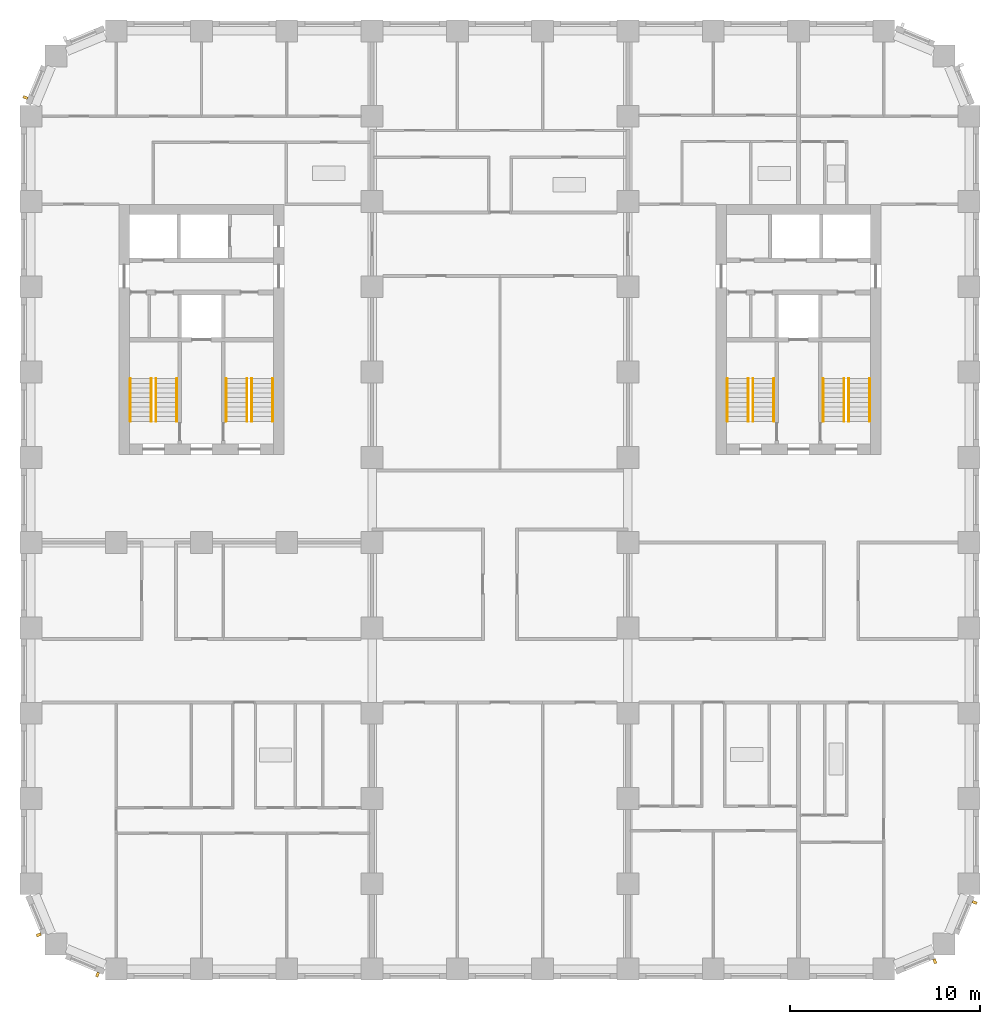
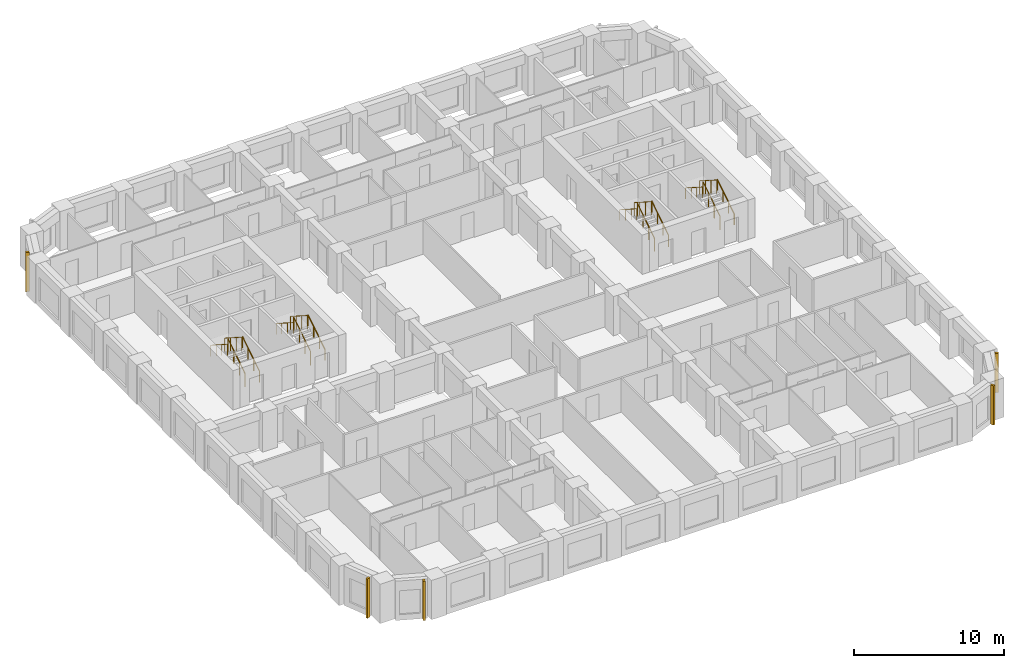
# One storey, part 11 of 13: 16 railings, 5 shading devices.
"""IFC4 building model written with IfcOpenShell, lengths in metres."""

from ifc_helpers import new_model, si_unit, direction, frame, origin, origin_2d, place, context, subcontext, project, spatial, rectangle, circle, extrude, material, type_object, element, save


model = new_model("IFC4")

# Units and contexts
model_context = context("Model", 3, precision=1e-05, world=origin(), true_north=direction((0.0, 1.0)))
body_context = subcontext(model_context, "Body", "Model", "MODEL_VIEW")
ifc_project = project(units=[si_unit("LENGTHUNIT", "METRE"), si_unit("AREAUNIT", "SQUARE_METRE"), si_unit("VOLUMEUNIT", "CUBIC_METRE"), si_unit("PLANEANGLEUNIT", "RADIAN"), si_unit("MASSUNIT", "GRAM", prefix="KILO")], contexts=[model_context])

# Site, building, storey
site_placement = place(None, origin())
site = spatial("IfcSite", under=ifc_project, at=site_placement, CompositionType="ELEMENT")
building_placement = place(site_placement, origin())
building = spatial("IfcBuilding", under=site, at=building_placement, Name="Girih Gate Residences", CompositionType="ELEMENT")
storey_placement = place(building_placement, frame((0.0, 0.0, 86.39990234375)))
storey = spatial("IfcBuildingStorey", under=building, at=storey_placement, Name="L23", CompositionType="ELEMENT", Elevation=86.39990234375)

# Shading devices
ifc_material_1 = material(Name="Precast concrete C50/60", Category="concrete")
shading_device_type = type_object("IfcShadingDeviceType", Name="Corner rib 150x250", PredefinedType="USERDEFINED", material=ifc_material_1)
for number, where, z_axis, x_axis, name in (
    (1, (0.412353515625, 1.8056640625, 0.0), (0.0, 0.0, 1.0), (0.382683432365, -0.923879532511, 0.0), "Corner rib SW0000_0045.0"),
    (2, (3.514892578125, -0.29541015625, 0.0), (0.0, 0.0, 1.0), (0.923879532511, -0.382683432365, 0.0), "Corner rib SW0013_0013.0"),
    (3, (47.6943359375, 0.412353515625, 0.0), (0.0, 0.0, 1.0), (0.923879532511, 0.382683432365, 0.0), "Corner rib SE0450_0000.0"),
    (4, (49.79541015625, 3.514892578125, 0.0), (0.0, 0.0, 1.0), (0.382683432365, 0.923879532511, 0.0), "Corner rib SE0482_0013.0"),
    (5, (-0.29541015625, 45.985107421875, 0.0), (0.0, 0.0, 1.0), (-0.382683432365, -0.923879532511, 0.0), "Corner rib NW0013_0482.0"),
):
    element("IfcShadingDevice", number, at=place(storey_placement, frame(where, z_axis=z_axis, x_axis=x_axis)), inside=storey, type_object=shading_device_type, Name=name, ObjectType="FIN", PredefinedType="USERDEFINED", context=body_context, shape_type="SweptSolid", body=[
        extrude(rectangle(XDim=0.14990234375, YDim=0.25, at=origin_2d()), origin(), (0.0, 0.0, 1.0), 3.199951171875),
    ])

# Railings
ifc_material_2 = material(Name="Stainless steel", Category="steel")
railing_type_1 = type_object("IfcRailingType", Name="Stair guard 1100", PredefinedType="GUARDRAIL", material=ifc_material_2)
railing_1_placement = place(storey_placement, frame((6.60009765625, 28.89990234375, 0.16015625)))
element("IfcRailing", 6, at=railing_1_placement, inside=storey, type_object=railing_type_1, Name="L23 ST-W1 stair guard 1", PredefinedType="GUARDRAIL", context=body_context, shape_type="SweptSolid", body=[
    extrude(circle(Radius=0.02392578125, at=origin_2d()), frame((0.0, 0.0, 1.076171875), z_axis=(0.0, 0.842281359387, 0.539038135598), x_axis=(-1.0, 0.0, 0.0)), (0.0, 0.0, 1.0), 2.67138671875),
    extrude(circle(Radius=0.02099609375, at=origin_2d()), origin(), (0.0, 0.0, 1.0), 1.052001953125),
    extrude(circle(Radius=0.02099609375, at=origin_2d()), frame((0.0, 0.75, 0.47998046875)), (0.0, 0.0, 1.0), 1.052001953125),
    extrude(circle(Radius=0.02099609375, at=origin_2d()), frame((0.0, 1.5, 0.9599609375)), (0.0, 0.0, 1.0), 1.052001953125),
    extrude(circle(Radius=0.02099609375, at=origin_2d()), frame((0.0, 2.25, 1.43994140625)), (0.0, 0.0, 1.0), 1.052001953125),
])
railing_2_placement = place(storey_placement, frame((6.35009765625, 31.14990234375, 1.760009765625)))
element("IfcRailing", 7, at=railing_2_placement, inside=storey, type_object=railing_type_1, Name="L23 ST-W1 stair guard 2", PredefinedType="GUARDRAIL", context=body_context, shape_type="SweptSolid", body=[
    extrude(circle(Radius=0.02392578125, at=origin_2d()), frame((0.0, 0.0, 1.076171875), z_axis=(0.0, -0.842239864353, 0.539102968731), x_axis=(1.0, 0.0, 0.0)), (0.0, 0.0, 1.0), 2.67138671875),
    extrude(circle(Radius=0.02099609375, at=origin_2d()), origin(), (0.0, 0.0, 1.0), 1.052001953125),
    extrude(circle(Radius=0.02099609375, at=origin_2d()), frame((0.0, -0.75, 0.47998046875)), (0.0, 0.0, 1.0), 1.052001953125),
    extrude(circle(Radius=0.02099609375, at=origin_2d()), frame((0.0, -1.5, 0.960205078125)), (0.0, 0.0, 1.0), 1.052001953125),
    extrude(circle(Radius=0.02099609375, at=origin_2d()), frame((0.0, -2.25, 1.440185546875)), (0.0, 0.0, 1.0), 1.052001953125),
])
railing_3_placement = place(storey_placement, frame((11.64990234375, 28.89990234375, 0.16015625)))
element("IfcRailing", 8, at=railing_3_placement, inside=storey, type_object=railing_type_1, Name="L23 ST-W2 stair guard 1", PredefinedType="GUARDRAIL", context=body_context, shape_type="SweptSolid", body=[
    extrude(circle(Radius=0.02392578125, at=origin_2d()), frame((0.0, 0.0, 1.076171875), z_axis=(0.0, 0.842281359387, 0.539038135598), x_axis=(-1.0, 0.0, 0.0)), (0.0, 0.0, 1.0), 2.67138671875),
    extrude(circle(Radius=0.02099609375, at=origin_2d()), origin(), (0.0, 0.0, 1.0), 1.052001953125),
    extrude(circle(Radius=0.02099609375, at=origin_2d()), frame((0.0, 0.75, 0.47998046875)), (0.0, 0.0, 1.0), 1.052001953125),
    extrude(circle(Radius=0.02099609375, at=origin_2d()), frame((0.0, 1.5, 0.9599609375)), (0.0, 0.0, 1.0), 1.052001953125),
    extrude(circle(Radius=0.02099609375, at=origin_2d()), frame((0.0, 2.25, 1.43994140625)), (0.0, 0.0, 1.0), 1.052001953125),
])
railing_4_placement = place(storey_placement, frame((11.39990234375, 31.14990234375, 1.760009765625)))
element("IfcRailing", 9, at=railing_4_placement, inside=storey, type_object=railing_type_1, Name="L23 ST-W2 stair guard 2", PredefinedType="GUARDRAIL", context=body_context, shape_type="SweptSolid", body=[
    extrude(circle(Radius=0.02392578125, at=origin_2d()), frame((0.0, 0.0, 1.076171875), z_axis=(0.0, -0.842239864353, 0.539102968731), x_axis=(1.0, 0.0, 0.0)), (0.0, 0.0, 1.0), 2.67138671875),
    extrude(circle(Radius=0.02099609375, at=origin_2d()), origin(), (0.0, 0.0, 1.0), 1.052001953125),
    extrude(circle(Radius=0.02099609375, at=origin_2d()), frame((0.0, -0.75, 0.47998046875)), (0.0, 0.0, 1.0), 1.052001953125),
    extrude(circle(Radius=0.02099609375, at=origin_2d()), frame((0.0, -1.5, 0.960205078125)), (0.0, 0.0, 1.0), 1.052001953125),
    extrude(circle(Radius=0.02099609375, at=origin_2d()), frame((0.0, -2.25, 1.440185546875)), (0.0, 0.0, 1.0), 1.052001953125),
])
railing_5_placement = place(storey_placement, frame((43.14990234375, 28.89990234375, 0.16015625)))
element("IfcRailing", 10, at=railing_5_placement, inside=storey, type_object=railing_type_1, Name="L23 ST-E1 stair guard 1", PredefinedType="GUARDRAIL", context=body_context, shape_type="SweptSolid", body=[
    extrude(circle(Radius=0.02392578125, at=origin_2d()), frame((0.0, 0.0, 1.076171875), z_axis=(0.0, 0.842281359387, 0.539038135598), x_axis=(-1.0, 0.0, 0.0)), (0.0, 0.0, 1.0), 2.67138671875),
    extrude(circle(Radius=0.02099609375, at=origin_2d()), origin(), (0.0, 0.0, 1.0), 1.052001953125),
    extrude(circle(Radius=0.02099609375, at=origin_2d()), frame((0.0, 0.75, 0.47998046875)), (0.0, 0.0, 1.0), 1.052001953125),
    extrude(circle(Radius=0.02099609375, at=origin_2d()), frame((0.0, 1.5, 0.9599609375)), (0.0, 0.0, 1.0), 1.052001953125),
    extrude(circle(Radius=0.02099609375, at=origin_2d()), frame((0.0, 2.25, 1.43994140625)), (0.0, 0.0, 1.0), 1.052001953125),
])
railing_6_placement = place(storey_placement, frame((42.89990234375, 31.14990234375, 1.760009765625)))
element("IfcRailing", 11, at=railing_6_placement, inside=storey, type_object=railing_type_1, Name="L23 ST-E1 stair guard 2", PredefinedType="GUARDRAIL", context=body_context, shape_type="SweptSolid", body=[
    extrude(circle(Radius=0.02392578125, at=origin_2d()), frame((0.0, 0.0, 1.076171875), z_axis=(0.0, -0.842239864353, 0.539102968731), x_axis=(1.0, 0.0, 0.0)), (0.0, 0.0, 1.0), 2.67138671875),
    extrude(circle(Radius=0.02099609375, at=origin_2d()), origin(), (0.0, 0.0, 1.0), 1.052001953125),
    extrude(circle(Radius=0.02099609375, at=origin_2d()), frame((0.0, -0.75, 0.47998046875)), (0.0, 0.0, 1.0), 1.052001953125),
    extrude(circle(Radius=0.02099609375, at=origin_2d()), frame((0.0, -1.5, 0.960205078125)), (0.0, 0.0, 1.0), 1.052001953125),
    extrude(circle(Radius=0.02099609375, at=origin_2d()), frame((0.0, -2.25, 1.440185546875)), (0.0, 0.0, 1.0), 1.052001953125),
])
railing_7_placement = place(storey_placement, frame((38.10009765625, 28.89990234375, 0.16015625)))
element("IfcRailing", 12, at=railing_7_placement, inside=storey, type_object=railing_type_1, Name="L23 ST-E2 stair guard 1", PredefinedType="GUARDRAIL", context=body_context, shape_type="SweptSolid", body=[
    extrude(circle(Radius=0.02392578125, at=origin_2d()), frame((0.0, 0.0, 1.076171875), z_axis=(0.0, 0.842281359387, 0.539038135598), x_axis=(-1.0, 0.0, 0.0)), (0.0, 0.0, 1.0), 2.67138671875),
    extrude(circle(Radius=0.02099609375, at=origin_2d()), origin(), (0.0, 0.0, 1.0), 1.052001953125),
    extrude(circle(Radius=0.02099609375, at=origin_2d()), frame((0.0, 0.75, 0.47998046875)), (0.0, 0.0, 1.0), 1.052001953125),
    extrude(circle(Radius=0.02099609375, at=origin_2d()), frame((0.0, 1.5, 0.9599609375)), (0.0, 0.0, 1.0), 1.052001953125),
    extrude(circle(Radius=0.02099609375, at=origin_2d()), frame((0.0, 2.25, 1.43994140625)), (0.0, 0.0, 1.0), 1.052001953125),
])
railing_8_placement = place(storey_placement, frame((37.85009765625, 31.14990234375, 1.760009765625)))
element("IfcRailing", 13, at=railing_8_placement, inside=storey, type_object=railing_type_1, Name="L23 ST-E2 stair guard 2", PredefinedType="GUARDRAIL", context=body_context, shape_type="SweptSolid", body=[
    extrude(circle(Radius=0.02392578125, at=origin_2d()), frame((0.0, 0.0, 1.076171875), z_axis=(0.0, -0.842239864353, 0.539102968731), x_axis=(1.0, 0.0, 0.0)), (0.0, 0.0, 1.0), 2.67138671875),
    extrude(circle(Radius=0.02099609375, at=origin_2d()), origin(), (0.0, 0.0, 1.0), 1.052001953125),
    extrude(circle(Radius=0.02099609375, at=origin_2d()), frame((0.0, -0.75, 0.47998046875)), (0.0, 0.0, 1.0), 1.052001953125),
    extrude(circle(Radius=0.02099609375, at=origin_2d()), frame((0.0, -1.5, 0.960205078125)), (0.0, 0.0, 1.0), 1.052001953125),
    extrude(circle(Radius=0.02099609375, at=origin_2d()), frame((0.0, -2.25, 1.440185546875)), (0.0, 0.0, 1.0), 1.052001953125),
])
railing_type_2 = type_object("IfcRailingType", Name="Stair handrail 900", PredefinedType="HANDRAIL", material=ifc_material_2)
railing_9_placement = place(storey_placement, frame((7.699951171875, 28.89990234375, 0.16015625)))
element("IfcRailing", 14, at=railing_9_placement, inside=storey, type_object=railing_type_2, Name="L23 ST-W1 stair handrail 1", PredefinedType="HANDRAIL", context=body_context, shape_type="SweptSolid", body=[
    extrude(circle(Radius=0.02392578125, at=origin_2d()), frame((0.0, 0.0, 0.8857421875), z_axis=(0.0, 0.842281359387, 0.539038135598), x_axis=(-1.0, 0.0, 0.0)), (0.0, 0.0, 1.0), 2.67138671875),
    extrude(circle(Radius=0.02099609375, at=origin_2d()), origin(), (0.0, 0.0, 1.0), 0.86181640625),
    extrude(circle(Radius=0.02099609375, at=origin_2d()), frame((0.0, 0.75, 0.47998046875)), (0.0, 0.0, 1.0), 0.86181640625),
    extrude(circle(Radius=0.02099609375, at=origin_2d()), frame((0.0, 1.5, 0.9599609375)), (0.0, 0.0, 1.0), 0.86181640625),
    extrude(circle(Radius=0.02099609375, at=origin_2d()), frame((0.0, 2.25, 1.43994140625)), (0.0, 0.0, 1.0), 0.86181640625),
])
railing_10_placement = place(storey_placement, frame((5.25, 31.14990234375, 1.760009765625)))
element("IfcRailing", 15, at=railing_10_placement, inside=storey, type_object=railing_type_2, Name="L23 ST-W1 stair handrail 2", PredefinedType="HANDRAIL", context=body_context, shape_type="SweptSolid", body=[
    extrude(circle(Radius=0.02392578125, at=origin_2d()), frame((0.0, 0.0, 0.8857421875), z_axis=(0.0, -0.842239864353, 0.539102968731), x_axis=(1.0, 0.0, 0.0)), (0.0, 0.0, 1.0), 2.67138671875),
    extrude(circle(Radius=0.02099609375, at=origin_2d()), origin(), (0.0, 0.0, 1.0), 0.86181640625),
    extrude(circle(Radius=0.02099609375, at=origin_2d()), frame((0.0, -0.75, 0.47998046875)), (0.0, 0.0, 1.0), 0.86181640625),
    extrude(circle(Radius=0.02099609375, at=origin_2d()), frame((0.0, -1.5, 0.960205078125)), (0.0, 0.0, 1.0), 0.86181640625),
    extrude(circle(Radius=0.02099609375, at=origin_2d()), frame((0.0, -2.25, 1.440185546875)), (0.0, 0.0, 1.0), 0.86181640625),
])
railing_11_placement = place(storey_placement, frame((12.75, 28.89990234375, 0.16015625)))
element("IfcRailing", 16, at=railing_11_placement, inside=storey, type_object=railing_type_2, Name="L23 ST-W2 stair handrail 1", PredefinedType="HANDRAIL", context=body_context, shape_type="SweptSolid", body=[
    extrude(circle(Radius=0.02392578125, at=origin_2d()), frame((0.0, 0.0, 0.8857421875), z_axis=(0.0, 0.842281359387, 0.539038135598), x_axis=(-1.0, 0.0, 0.0)), (0.0, 0.0, 1.0), 2.67138671875),
    extrude(circle(Radius=0.02099609375, at=origin_2d()), origin(), (0.0, 0.0, 1.0), 0.86181640625),
    extrude(circle(Radius=0.02099609375, at=origin_2d()), frame((0.0, 0.75, 0.47998046875)), (0.0, 0.0, 1.0), 0.86181640625),
    extrude(circle(Radius=0.02099609375, at=origin_2d()), frame((0.0, 1.5, 0.9599609375)), (0.0, 0.0, 1.0), 0.86181640625),
    extrude(circle(Radius=0.02099609375, at=origin_2d()), frame((0.0, 2.25, 1.43994140625)), (0.0, 0.0, 1.0), 0.86181640625),
])
railing_12_placement = place(storey_placement, frame((10.300048828125, 31.14990234375, 1.760009765625)))
element("IfcRailing", 17, at=railing_12_placement, inside=storey, type_object=railing_type_2, Name="L23 ST-W2 stair handrail 2", PredefinedType="HANDRAIL", context=body_context, shape_type="SweptSolid", body=[
    extrude(circle(Radius=0.02392578125, at=origin_2d()), frame((0.0, 0.0, 0.8857421875), z_axis=(0.0, -0.842239864353, 0.539102968731), x_axis=(1.0, 0.0, 0.0)), (0.0, 0.0, 1.0), 2.67138671875),
    extrude(circle(Radius=0.02099609375, at=origin_2d()), origin(), (0.0, 0.0, 1.0), 0.86181640625),
    extrude(circle(Radius=0.02099609375, at=origin_2d()), frame((0.0, -0.75, 0.47998046875)), (0.0, 0.0, 1.0), 0.86181640625),
    extrude(circle(Radius=0.02099609375, at=origin_2d()), frame((0.0, -1.5, 0.960205078125)), (0.0, 0.0, 1.0), 0.86181640625),
    extrude(circle(Radius=0.02099609375, at=origin_2d()), frame((0.0, -2.25, 1.440185546875)), (0.0, 0.0, 1.0), 0.86181640625),
])
railing_13_placement = place(storey_placement, frame((44.25, 28.89990234375, 0.16015625)))
element("IfcRailing", 18, at=railing_13_placement, inside=storey, type_object=railing_type_2, Name="L23 ST-E1 stair handrail 1", PredefinedType="HANDRAIL", context=body_context, shape_type="SweptSolid", body=[
    extrude(circle(Radius=0.02392578125, at=origin_2d()), frame((0.0, 0.0, 0.8857421875), z_axis=(0.0, 0.842281359387, 0.539038135598), x_axis=(-1.0, 0.0, 0.0)), (0.0, 0.0, 1.0), 2.67138671875),
    extrude(circle(Radius=0.02099609375, at=origin_2d()), origin(), (0.0, 0.0, 1.0), 0.86181640625),
    extrude(circle(Radius=0.02099609375, at=origin_2d()), frame((0.0, 0.75, 0.47998046875)), (0.0, 0.0, 1.0), 0.86181640625),
    extrude(circle(Radius=0.02099609375, at=origin_2d()), frame((0.0, 1.5, 0.9599609375)), (0.0, 0.0, 1.0), 0.86181640625),
    extrude(circle(Radius=0.02099609375, at=origin_2d()), frame((0.0, 2.25, 1.43994140625)), (0.0, 0.0, 1.0), 0.86181640625),
])
railing_14_placement = place(storey_placement, frame((41.800048828125, 31.14990234375, 1.760009765625)))
element("IfcRailing", 19, at=railing_14_placement, inside=storey, type_object=railing_type_2, Name="L23 ST-E1 stair handrail 2", PredefinedType="HANDRAIL", context=body_context, shape_type="SweptSolid", body=[
    extrude(circle(Radius=0.02392578125, at=origin_2d()), frame((0.0, 0.0, 0.8857421875), z_axis=(0.0, -0.842239864353, 0.539102968731), x_axis=(1.0, 0.0, 0.0)), (0.0, 0.0, 1.0), 2.67138671875),
    extrude(circle(Radius=0.02099609375, at=origin_2d()), origin(), (0.0, 0.0, 1.0), 0.86181640625),
    extrude(circle(Radius=0.02099609375, at=origin_2d()), frame((0.0, -0.75, 0.47998046875)), (0.0, 0.0, 1.0), 0.86181640625),
    extrude(circle(Radius=0.02099609375, at=origin_2d()), frame((0.0, -1.5, 0.960205078125)), (0.0, 0.0, 1.0), 0.86181640625),
    extrude(circle(Radius=0.02099609375, at=origin_2d()), frame((0.0, -2.25, 1.440185546875)), (0.0, 0.0, 1.0), 0.86181640625),
])
railing_15_placement = place(storey_placement, frame((39.199951171875, 28.89990234375, 0.16015625)))
element("IfcRailing", 20, at=railing_15_placement, inside=storey, type_object=railing_type_2, Name="L23 ST-E2 stair handrail 1", PredefinedType="HANDRAIL", context=body_context, shape_type="SweptSolid", body=[
    extrude(circle(Radius=0.02392578125, at=origin_2d()), frame((0.0, 0.0, 0.8857421875), z_axis=(0.0, 0.842281359387, 0.539038135598), x_axis=(-1.0, 0.0, 0.0)), (0.0, 0.0, 1.0), 2.67138671875),
    extrude(circle(Radius=0.02099609375, at=origin_2d()), origin(), (0.0, 0.0, 1.0), 0.86181640625),
    extrude(circle(Radius=0.02099609375, at=origin_2d()), frame((0.0, 0.75, 0.47998046875)), (0.0, 0.0, 1.0), 0.86181640625),
    extrude(circle(Radius=0.02099609375, at=origin_2d()), frame((0.0, 1.5, 0.9599609375)), (0.0, 0.0, 1.0), 0.86181640625),
    extrude(circle(Radius=0.02099609375, at=origin_2d()), frame((0.0, 2.25, 1.43994140625)), (0.0, 0.0, 1.0), 0.86181640625),
])
railing_16_placement = place(storey_placement, frame((36.75, 31.14990234375, 1.760009765625)))
element("IfcRailing", 21, at=railing_16_placement, inside=storey, type_object=railing_type_2, Name="L23 ST-E2 stair handrail 2", PredefinedType="HANDRAIL", context=body_context, shape_type="SweptSolid", body=[
    extrude(circle(Radius=0.02392578125, at=origin_2d()), frame((0.0, 0.0, 0.8857421875), z_axis=(0.0, -0.842239864353, 0.539102968731), x_axis=(1.0, 0.0, 0.0)), (0.0, 0.0, 1.0), 2.67138671875),
    extrude(circle(Radius=0.02099609375, at=origin_2d()), origin(), (0.0, 0.0, 1.0), 0.86181640625),
    extrude(circle(Radius=0.02099609375, at=origin_2d()), frame((0.0, -0.75, 0.47998046875)), (0.0, 0.0, 1.0), 0.86181640625),
    extrude(circle(Radius=0.02099609375, at=origin_2d()), frame((0.0, -1.5, 0.960205078125)), (0.0, 0.0, 1.0), 0.86181640625),
    extrude(circle(Radius=0.02099609375, at=origin_2d()), frame((0.0, -2.25, 1.440185546875)), (0.0, 0.0, 1.0), 0.86181640625),
])

save(model, "model.ifc")
